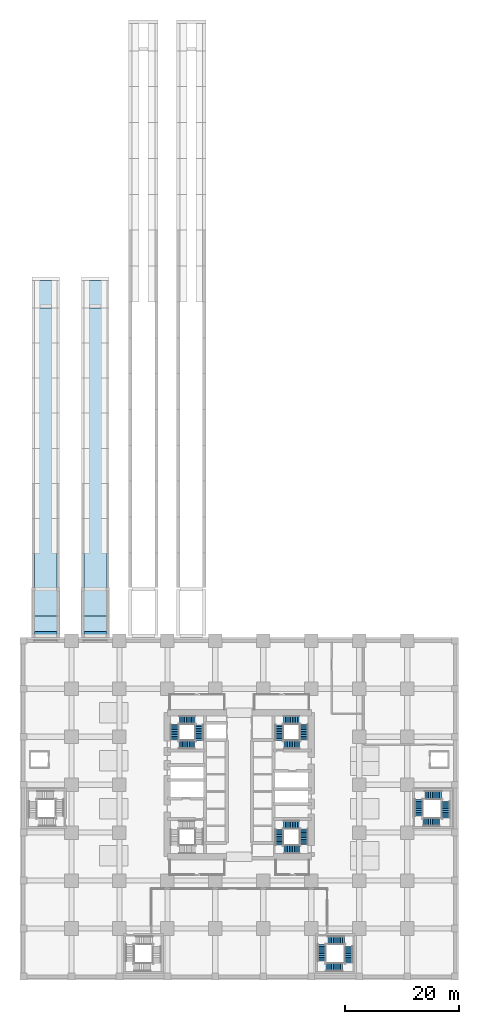
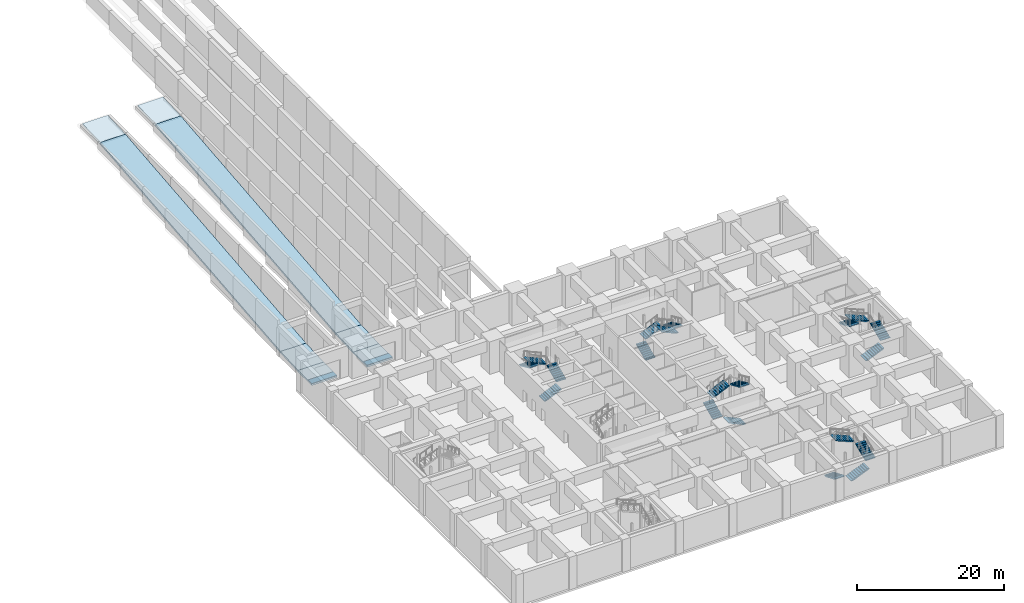
# One storey, part 12 of 20: 20 stair flights, 8 slabs, 2 ramps, 5 elements without a shape of their own.
"""IFC4 building model written with IfcOpenShell, lengths in metres."""

from ifc_helpers import new_model, si_unit, direction, frame, origin, place, context, subcontext, project, spatial, polyline, outline, extrude, material, layer, layer_set, type_object, element, aggregate, save


model = new_model("IFC4")

# Units and contexts
model_context = context("Model", 3, precision=1e-05, world=origin(), true_north=direction((0.0, 1.0)))
body_context = subcontext(model_context, "Body", "Model", "MODEL_VIEW")
ifc_project = project(units=[si_unit("LENGTHUNIT", "METRE"), si_unit("AREAUNIT", "SQUARE_METRE"), si_unit("VOLUMEUNIT", "CUBIC_METRE"), si_unit("PLANEANGLEUNIT", "RADIAN"), si_unit("MASSUNIT", "GRAM", prefix="KILO")], contexts=[model_context])

# Slab
ifc_material = material(Name="Concrete M40", Category="concrete")
ifc_layer_1 = layer(ifc_material, 0.300048828125)
ifc_layer_set_1 = layer_set([ifc_layer_1], Name="Concrete M40")
slab_type_1 = type_object("IfcSlabType", Name="RL1 300 concrete ramp apron", PredefinedType="LANDING", material=ifc_layer_set_1)
site_placement = place(None, origin())
building_placement = place(site_placement, origin())
storey_placement = place(building_placement, frame((0.0, 0.0, -5.39990234375)))
slab_1_placement = place(storey_placement, frame((1.89990234375, 59.39990234375, 0.0), z_axis=(0.0, 0.0, 1.0), x_axis=(1.0, 0.0, 0.0)))
slab_1 = element("IfcSlab", 1, at=slab_1_placement, type_object=slab_type_1, Name="Ramp 1 apron", PredefinedType="LANDING", context=body_context, shape_type="SweptSolid", body=[
    extrude(outline(polyline([(0.0, 0.0), (4.0, 0.0), (4.0, 3.700195312), (0.0, 3.700195312), (0.0, 0.0)])), origin(), (0.0, 0.0, -1.0), 0.300048828125),
])

slab_2_placement = place(storey_placement, frame((10.60009765625, 59.39990234375, 0.0), z_axis=(0.0, 0.0, 1.0), x_axis=(1.0, 0.0, 0.0)))
slab_2 = element("IfcSlab", 2, at=slab_2_placement, type_object=slab_type_1, Name="Ramp 2 apron", PredefinedType="LANDING", context=body_context, shape_type="SweptSolid", body=[
    extrude(outline(polyline([(0.0, 0.0), (4.0, 0.0), (4.0, 3.700195312), (0.0, 3.700195312), (0.0, 0.0)])), origin(), (0.0, 0.0, -1.0), 0.300048828125),
])

ifc_layer_2 = layer(ifc_material, 0.300048828125)
ifc_layer_set_2 = layer_set([ifc_layer_2], Name="Concrete M40")
slab_type_2 = type_object("IfcSlabType", Name="RP1 300 concrete vehicle ramp slab, 4000 wide", PredefinedType="FLOOR", material=ifc_layer_set_2)
slab_3_placement = place(storey_placement, frame((1.89990234375, 63.10009765625, 0.0), z_axis=(0.0, -0.049937616944, 0.998752338878), x_axis=(1.0, 0.0, 0.0)))
slab_3 = element("IfcSlab", 3, at=slab_3_placement, type_object=slab_type_2, Name="Ramp 1 flight 1", PredefinedType="FLOOR", context=body_context, shape_type="SweptSolid", body=[
    extrude(outline(polyline([(0.0, 0.0), (4.0, 0.0), (4.0, 4.805800698), (0.0, 4.805800698), (0.0, 0.0)])), origin(), (0.0, -0.049937616944, -0.998752338878), 0.30029296875),
])

slab_4_placement = place(storey_placement, frame((1.89990234375, 67.89990234375, 0.239990234375), z_axis=(0.0, -0.09950176355, 0.995037385755), x_axis=(1.0, 0.0, 0.0)))
slab_4 = element("IfcSlab", 4, at=slab_4_placement, type_object=slab_type_2, Name="Ramp 1 flight 2", PredefinedType="FLOOR", context=body_context, shape_type="SweptSolid", body=[
    extrude(outline(polyline([(0.0, 0.0), (4.0, 0.0), (4.0, 49.445574625), (0.0, 49.445574625), (0.0, 0.0)])), origin(), (0.0, -0.09950176355, -0.995037385755), 0.301513671875),
])

slab_5_placement = place(storey_placement, frame((1.89990234375, 117.10009765625, 5.159912109375), z_axis=(0.0, -0.049937616944, 0.998752338878), x_axis=(1.0, 0.0, 0.0)))
slab_5 = element("IfcSlab", 5, at=slab_5_placement, type_object=slab_type_2, Name="Ramp 1 flight 3", PredefinedType="FLOOR", context=body_context, shape_type="SweptSolid", body=[
    extrude(outline(polyline([(0.0, 0.0), (4.0, 0.0), (4.0, 4.805800698), (0.0, 4.805800698), (0.0, 0.0)])), origin(), (0.0, -0.049937616944, -0.998752338878), 0.30029296875),
])

slab_6_placement = place(storey_placement, frame((10.60009765625, 63.10009765625, 0.0), z_axis=(0.0, -0.049937616944, 0.998752338878), x_axis=(1.0, 0.0, 0.0)))
slab_6 = element("IfcSlab", 6, at=slab_6_placement, type_object=slab_type_2, Name="Ramp 2 flight 1", PredefinedType="FLOOR", context=body_context, shape_type="SweptSolid", body=[
    extrude(outline(polyline([(0.0, 0.0), (4.0, 0.0), (4.0, 4.805800698), (0.0, 4.805800698), (0.0, 0.0)])), origin(), (0.0, -0.049937616944, -0.998752338878), 0.30029296875),
])

slab_7_placement = place(storey_placement, frame((10.60009765625, 67.89990234375, 0.239990234375), z_axis=(0.0, -0.09950176355, 0.995037385755), x_axis=(1.0, 0.0, 0.0)))
slab_7 = element("IfcSlab", 7, at=slab_7_placement, type_object=slab_type_2, Name="Ramp 2 flight 2", PredefinedType="FLOOR", context=body_context, shape_type="SweptSolid", body=[
    extrude(outline(polyline([(0.0, 0.0), (4.0, 0.0), (4.0, 49.445574625), (0.0, 49.445574625), (0.0, 0.0)])), origin(), (0.0, -0.09950176355, -0.995037385755), 0.301513671875),
])

slab_8_placement = place(storey_placement, frame((10.60009765625, 117.10009765625, 5.159912109375), z_axis=(0.0, -0.049937616944, 0.998752338878), x_axis=(1.0, 0.0, 0.0)))
slab_8 = element("IfcSlab", 8, at=slab_8_placement, type_object=slab_type_2, Name="Ramp 2 flight 3", PredefinedType="FLOOR", context=body_context, shape_type="SweptSolid", body=[
    extrude(outline(polyline([(0.0, 0.0), (4.0, 0.0), (4.0, 4.805800698), (0.0, 4.805800698), (0.0, 0.0)])), origin(), (0.0, -0.049937616944, -0.998752338878), 0.30029296875),
])

# Site, building, storey
site = spatial("IfcSite", under=ifc_project, at=site_placement, CompositionType="ELEMENT")
building = spatial("IfcBuilding", under=site, at=building_placement, Name="Rekha Terrace Tower", CompositionType="ELEMENT")
storey = spatial("IfcBuildingStorey", under=building, at=storey_placement, Name="B-01", CompositionType="ELEMENT", Elevation=-5.39990234375)

# Stair, stair flights
stair_type_1 = type_object("IfcStairType", Name="ST40 stair, 40 risers of 135, going 300, 1500 wide flights, 4 flights", PredefinedType="QUARTER_TURN_STAIR", material=ifc_material)
stair_1_placement = place(storey_placement, origin())
stair_1 = element("IfcStair", 9, at=stair_1_placement, inside=storey, type_object=stair_type_1, Name="Stair ST2 B-01 to L00", PredefinedType="QUARTER_TURN_STAIR")
stair_flight_type_1 = type_object("IfcStairFlightType", Name="SF10 stair flight, 10 risers of 135, going 300, 1500 wide", PredefinedType="STRAIGHT", material=ifc_material)
stair_flight_1_placement = place(storey_placement, frame((44.824951171875, 41.375, 0.0), z_axis=(0.0, 0.0, 1.0), x_axis=(0.0, 1.0, 0.0)))
stair_flight_1 = element("IfcStairFlight", 10, at=stair_flight_1_placement, type_object=stair_flight_type_1, Name="ST2 flight 1", NumberOfRisers=10, NumberOfTreads=9, PredefinedType="STRAIGHT", RiserHeight=0.135, TreadLength=0.3, context=body_context, shape_type="SweptSolid", body=[
    extrude(outline(polyline([(0.0, 0.0), (0.0, 0.135009765625), (0.300048828125, 0.135009765625), (0.300048828125, 0.27001953125), (0.60009765625, 0.27001953125), (0.60009765625, 0.405029296875), (0.89990234375, 0.405029296875), (0.89990234375, 0.5400390625), (1.199951171875, 0.5400390625), (1.199951171875, 0.675048828125), (1.5, 0.675048828125), (1.5, 0.81005859375), (1.800048828125, 0.81005859375), (1.800048828125, 0.945068359375), (2.10009765625, 0.945068359375), (2.10009765625, 1.080078125), (2.39990234375, 1.080078125), (2.39990234375, 1.215087890625), (2.699951171875, 1.215087890625), (2.699951171875, 1.35009765625), (2.699951171875, 1.050537109375), (0.365234375, 0.0), (0.0, 0.0)])), frame((0.0, 0.75, 0.0), z_axis=(0.0, -1.0, 0.0), x_axis=(1.0, 0.0, 0.0)), (0.0, 0.0, 1.0), 1.5),
])
stair_flight_2_placement = place(storey_placement, frame((45.574951171875, 44.89990234375, 1.349853515625), z_axis=(0.0, 0.0, 1.0), x_axis=(1.0, 0.0, 0.0)))
stair_flight_2 = element("IfcStairFlight", 11, at=stair_flight_2_placement, type_object=stair_flight_type_1, Name="ST2 flight 2", NumberOfRisers=10, NumberOfTreads=9, PredefinedType="STRAIGHT", RiserHeight=0.135, TreadLength=0.3, context=body_context, shape_type="SweptSolid", body=[
    extrude(outline(polyline([(0.0, 0.0), (0.0, 0.135009765625), (0.300048828125, 0.135009765625), (0.300048828125, 0.27001953125), (0.60009765625, 0.27001953125), (0.60009765625, 0.405029296875), (0.89990234375, 0.405029296875), (0.89990234375, 0.5400390625), (1.199951171875, 0.5400390625), (1.199951171875, 0.675048828125), (1.5, 0.675048828125), (1.5, 0.81005859375), (1.800048828125, 0.81005859375), (1.800048828125, 0.945068359375), (2.10009765625, 0.945068359375), (2.10009765625, 1.080078125), (2.39990234375, 1.080078125), (2.39990234375, 1.215087890625), (2.699951171875, 1.215087890625), (2.699951171875, 1.35009765625), (2.699951171875, 1.050537109375), (0.365234375, 0.0), (0.0, 0.0)])), frame((0.0, 0.75, 0.0), z_axis=(0.0, -1.0, 0.0), x_axis=(1.0, 0.0, 0.0)), (0.0, 0.0, 1.0), 1.5),
])
stair_flight_3_placement = place(storey_placement, frame((49.10009765625, 44.14990234375, 2.699951171875), z_axis=(0.0, 0.0, 1.0), x_axis=(0.0, -1.0, 0.0)))
stair_flight_3 = element("IfcStairFlight", 12, at=stair_flight_3_placement, type_object=stair_flight_type_1, Name="ST2 flight 3", NumberOfRisers=10, NumberOfTreads=9, PredefinedType="STRAIGHT", RiserHeight=0.135, TreadLength=0.3, context=body_context, shape_type="SweptSolid", body=[
    extrude(outline(polyline([(0.0, 0.0), (0.0, 0.135009765625), (0.300048828125, 0.135009765625), (0.300048828125, 0.27001953125), (0.60009765625, 0.27001953125), (0.60009765625, 0.405029296875), (0.89990234375, 0.405029296875), (0.89990234375, 0.5400390625), (1.199951171875, 0.5400390625), (1.199951171875, 0.675048828125), (1.5, 0.675048828125), (1.5, 0.81005859375), (1.800048828125, 0.81005859375), (1.800048828125, 0.945068359375), (2.10009765625, 0.945068359375), (2.10009765625, 1.080078125), (2.39990234375, 1.080078125), (2.39990234375, 1.215087890625), (2.699951171875, 1.215087890625), (2.699951171875, 1.35009765625), (2.699951171875, 1.050537109375), (0.365234375, 0.0), (0.0, 0.0)])), frame((0.0, 0.75, 0.0), z_axis=(0.0, -1.0, 0.0), x_axis=(1.0, 0.0, 0.0)), (0.0, 0.0, 1.0), 1.5),
])
stair_flight_4_placement = place(storey_placement, frame((48.35009765625, 40.625, 4.0498046875), z_axis=(0.0, 0.0, 1.0), x_axis=(-1.0, 0.0, 0.0)))
stair_flight_4 = element("IfcStairFlight", 13, at=stair_flight_4_placement, type_object=stair_flight_type_1, Name="ST2 flight 4", NumberOfRisers=10, NumberOfTreads=9, PredefinedType="STRAIGHT", RiserHeight=0.135, TreadLength=0.3, context=body_context, shape_type="SweptSolid", body=[
    extrude(outline(polyline([(0.0, 0.0), (0.0, 0.135009765625), (0.300048828125, 0.135009765625), (0.300048828125, 0.27001953125), (0.60009765625, 0.27001953125), (0.60009765625, 0.405029296875), (0.89990234375, 0.405029296875), (0.89990234375, 0.5400390625), (1.199951171875, 0.5400390625), (1.199951171875, 0.675048828125), (1.5, 0.675048828125), (1.5, 0.81005859375), (1.800048828125, 0.81005859375), (1.800048828125, 0.945068359375), (2.10009765625, 0.945068359375), (2.10009765625, 1.080078125), (2.39990234375, 1.080078125), (2.39990234375, 1.215087890625), (2.699951171875, 1.215087890625), (2.699951171875, 1.35009765625), (2.699951171875, 1.050537109375), (0.365234375, 0.0), (0.0, 0.0)])), frame((0.0, 0.75, 0.0), z_axis=(0.0, -1.0, 0.0), x_axis=(1.0, 0.0, 0.0)), (0.0, 0.0, 1.0), 1.5),
])
aggregate(stair_1, [stair_flight_1, stair_flight_2, stair_flight_3, stair_flight_4])

stair_2_placement = place(storey_placement, origin())
stair_2 = element("IfcStair", 14, at=stair_2_placement, inside=storey, type_object=stair_type_1, Name="Stair ST3 B-01 to L00", PredefinedType="QUARTER_TURN_STAIR")
stair_flight_5_placement = place(storey_placement, frame((48.35009765625, 22.300048828125, 0.0), z_axis=(0.0, 0.0, 1.0), x_axis=(-1.0, 0.0, 0.0)))
stair_flight_5 = element("IfcStairFlight", 15, at=stair_flight_5_placement, type_object=stair_flight_type_1, Name="ST3 flight 1", NumberOfRisers=10, NumberOfTreads=9, PredefinedType="STRAIGHT", RiserHeight=0.135, TreadLength=0.3, context=body_context, shape_type="SweptSolid", body=[
    extrude(outline(polyline([(0.0, 0.0), (0.0, 0.135009765625), (0.300048828125, 0.135009765625), (0.300048828125, 0.27001953125), (0.60009765625, 0.27001953125), (0.60009765625, 0.405029296875), (0.89990234375, 0.405029296875), (0.89990234375, 0.5400390625), (1.199951171875, 0.5400390625), (1.199951171875, 0.675048828125), (1.5, 0.675048828125), (1.5, 0.81005859375), (1.800048828125, 0.81005859375), (1.800048828125, 0.945068359375), (2.10009765625, 0.945068359375), (2.10009765625, 1.080078125), (2.39990234375, 1.080078125), (2.39990234375, 1.215087890625), (2.699951171875, 1.215087890625), (2.699951171875, 1.35009765625), (2.699951171875, 1.050537109375), (0.365234375, 0.0), (0.0, 0.0)])), frame((0.0, 0.75, 0.0), z_axis=(0.0, -1.0, 0.0), x_axis=(1.0, 0.0, 0.0)), (0.0, 0.0, 1.0), 1.5),
])
stair_flight_6_placement = place(storey_placement, frame((44.824951171875, 23.050048828125, 1.349853515625), z_axis=(0.0, 0.0, 1.0), x_axis=(0.0, 1.0, 0.0)))
stair_flight_6 = element("IfcStairFlight", 16, at=stair_flight_6_placement, type_object=stair_flight_type_1, Name="ST3 flight 2", NumberOfRisers=10, NumberOfTreads=9, PredefinedType="STRAIGHT", RiserHeight=0.135, TreadLength=0.3, context=body_context, shape_type="SweptSolid", body=[
    extrude(outline(polyline([(0.0, 0.0), (0.0, 0.135009765625), (0.300048828125, 0.135009765625), (0.300048828125, 0.27001953125), (0.60009765625, 0.27001953125), (0.60009765625, 0.405029296875), (0.89990234375, 0.405029296875), (0.89990234375, 0.5400390625), (1.199951171875, 0.5400390625), (1.199951171875, 0.675048828125), (1.5, 0.675048828125), (1.5, 0.81005859375), (1.800048828125, 0.81005859375), (1.800048828125, 0.945068359375), (2.10009765625, 0.945068359375), (2.10009765625, 1.080078125), (2.39990234375, 1.080078125), (2.39990234375, 1.215087890625), (2.699951171875, 1.215087890625), (2.699951171875, 1.35009765625), (2.699951171875, 1.050537109375), (0.365234375, 0.0), (0.0, 0.0)])), frame((0.0, 0.75, 0.0), z_axis=(0.0, -1.0, 0.0), x_axis=(1.0, 0.0, 0.0)), (0.0, 0.0, 1.0), 1.5),
])
stair_flight_7_placement = place(storey_placement, frame((45.574951171875, 26.574951171875, 2.699951171875), z_axis=(0.0, 0.0, 1.0), x_axis=(1.0, 0.0, 0.0)))
stair_flight_7 = element("IfcStairFlight", 17, at=stair_flight_7_placement, type_object=stair_flight_type_1, Name="ST3 flight 3", NumberOfRisers=10, NumberOfTreads=9, PredefinedType="STRAIGHT", RiserHeight=0.135, TreadLength=0.3, context=body_context, shape_type="SweptSolid", body=[
    extrude(outline(polyline([(0.0, 0.0), (0.0, 0.135009765625), (0.300048828125, 0.135009765625), (0.300048828125, 0.27001953125), (0.60009765625, 0.27001953125), (0.60009765625, 0.405029296875), (0.89990234375, 0.405029296875), (0.89990234375, 0.5400390625), (1.199951171875, 0.5400390625), (1.199951171875, 0.675048828125), (1.5, 0.675048828125), (1.5, 0.81005859375), (1.800048828125, 0.81005859375), (1.800048828125, 0.945068359375), (2.10009765625, 0.945068359375), (2.10009765625, 1.080078125), (2.39990234375, 1.080078125), (2.39990234375, 1.215087890625), (2.699951171875, 1.215087890625), (2.699951171875, 1.35009765625), (2.699951171875, 1.050537109375), (0.365234375, 0.0), (0.0, 0.0)])), frame((0.0, 0.75, 0.0), z_axis=(0.0, -1.0, 0.0), x_axis=(1.0, 0.0, 0.0)), (0.0, 0.0, 1.0), 1.5),
])
stair_flight_8_placement = place(storey_placement, frame((49.10009765625, 25.824951171875, 4.0498046875), z_axis=(0.0, 0.0, 1.0), x_axis=(0.0, -1.0, 0.0)))
stair_flight_8 = element("IfcStairFlight", 18, at=stair_flight_8_placement, type_object=stair_flight_type_1, Name="ST3 flight 4", NumberOfRisers=10, NumberOfTreads=9, PredefinedType="STRAIGHT", RiserHeight=0.135, TreadLength=0.3, context=body_context, shape_type="SweptSolid", body=[
    extrude(outline(polyline([(0.0, 0.0), (0.0, 0.135009765625), (0.300048828125, 0.135009765625), (0.300048828125, 0.27001953125), (0.60009765625, 0.27001953125), (0.60009765625, 0.405029296875), (0.89990234375, 0.405029296875), (0.89990234375, 0.5400390625), (1.199951171875, 0.5400390625), (1.199951171875, 0.675048828125), (1.5, 0.675048828125), (1.5, 0.81005859375), (1.800048828125, 0.81005859375), (1.800048828125, 0.945068359375), (2.10009765625, 0.945068359375), (2.10009765625, 1.080078125), (2.39990234375, 1.080078125), (2.39990234375, 1.215087890625), (2.699951171875, 1.215087890625), (2.699951171875, 1.35009765625), (2.699951171875, 1.050537109375), (0.365234375, 0.0), (0.0, 0.0)])), frame((0.0, 0.75, 0.0), z_axis=(0.0, -1.0, 0.0), x_axis=(1.0, 0.0, 0.0)), (0.0, 0.0, 1.0), 1.5),
])
aggregate(stair_2, [stair_flight_5, stair_flight_6, stair_flight_7, stair_flight_8])

stair_3_placement = place(storey_placement, origin())
stair_3 = element("IfcStair", 19, at=stair_3_placement, inside=storey, type_object=stair_type_1, Name="Stair ST4 B-01 to L00", PredefinedType="QUARTER_TURN_STAIR")
stair_flight_9_placement = place(storey_placement, frame((27.25, 40.625, 0.0), z_axis=(0.0, 0.0, 1.0), x_axis=(1.0, 0.0, 0.0)))
stair_flight_9 = element("IfcStairFlight", 20, at=stair_flight_9_placement, type_object=stair_flight_type_1, Name="ST4 flight 1", NumberOfRisers=10, NumberOfTreads=9, PredefinedType="STRAIGHT", RiserHeight=0.135, TreadLength=0.3, context=body_context, shape_type="SweptSolid", body=[
    extrude(outline(polyline([(0.0, 0.0), (0.0, 0.135009765625), (0.300048828125, 0.135009765625), (0.300048828125, 0.27001953125), (0.60009765625, 0.27001953125), (0.60009765625, 0.405029296875), (0.89990234375, 0.405029296875), (0.89990234375, 0.5400390625), (1.199951171875, 0.5400390625), (1.199951171875, 0.675048828125), (1.5, 0.675048828125), (1.5, 0.81005859375), (1.800048828125, 0.81005859375), (1.800048828125, 0.945068359375), (2.10009765625, 0.945068359375), (2.10009765625, 1.080078125), (2.39990234375, 1.080078125), (2.39990234375, 1.215087890625), (2.699951171875, 1.215087890625), (2.699951171875, 1.35009765625), (2.699951171875, 1.050537109375), (0.365234375, 0.0), (0.0, 0.0)])), frame((0.0, 0.75, 0.0), z_axis=(0.0, -1.0, 0.0), x_axis=(1.0, 0.0, 0.0)), (0.0, 0.0, 1.0), 1.5),
])
stair_flight_10_placement = place(storey_placement, frame((30.77490234375, 41.375, 1.349853515625), z_axis=(0.0, 0.0, 1.0), x_axis=(0.0, 1.0, 0.0)))
stair_flight_10 = element("IfcStairFlight", 21, at=stair_flight_10_placement, type_object=stair_flight_type_1, Name="ST4 flight 2", NumberOfRisers=10, NumberOfTreads=9, PredefinedType="STRAIGHT", RiserHeight=0.135, TreadLength=0.3, context=body_context, shape_type="SweptSolid", body=[
    extrude(outline(polyline([(0.0, 0.0), (0.0, 0.135009765625), (0.300048828125, 0.135009765625), (0.300048828125, 0.27001953125), (0.60009765625, 0.27001953125), (0.60009765625, 0.405029296875), (0.89990234375, 0.405029296875), (0.89990234375, 0.5400390625), (1.199951171875, 0.5400390625), (1.199951171875, 0.675048828125), (1.5, 0.675048828125), (1.5, 0.81005859375), (1.800048828125, 0.81005859375), (1.800048828125, 0.945068359375), (2.10009765625, 0.945068359375), (2.10009765625, 1.080078125), (2.39990234375, 1.080078125), (2.39990234375, 1.215087890625), (2.699951171875, 1.215087890625), (2.699951171875, 1.35009765625), (2.699951171875, 1.050537109375), (0.365234375, 0.0), (0.0, 0.0)])), frame((0.0, 0.75, 0.0), z_axis=(0.0, -1.0, 0.0), x_axis=(1.0, 0.0, 0.0)), (0.0, 0.0, 1.0), 1.5),
])
stair_flight_11_placement = place(storey_placement, frame((30.02490234375, 44.89990234375, 2.699951171875), z_axis=(0.0, 0.0, 1.0), x_axis=(-1.0, 0.0, 0.0)))
stair_flight_11 = element("IfcStairFlight", 22, at=stair_flight_11_placement, type_object=stair_flight_type_1, Name="ST4 flight 3", NumberOfRisers=10, NumberOfTreads=9, PredefinedType="STRAIGHT", RiserHeight=0.135, TreadLength=0.3, context=body_context, shape_type="SweptSolid", body=[
    extrude(outline(polyline([(0.0, 0.0), (0.0, 0.135009765625), (0.300048828125, 0.135009765625), (0.300048828125, 0.27001953125), (0.60009765625, 0.27001953125), (0.60009765625, 0.405029296875), (0.89990234375, 0.405029296875), (0.89990234375, 0.5400390625), (1.199951171875, 0.5400390625), (1.199951171875, 0.675048828125), (1.5, 0.675048828125), (1.5, 0.81005859375), (1.800048828125, 0.81005859375), (1.800048828125, 0.945068359375), (2.10009765625, 0.945068359375), (2.10009765625, 1.080078125), (2.39990234375, 1.080078125), (2.39990234375, 1.215087890625), (2.699951171875, 1.215087890625), (2.699951171875, 1.35009765625), (2.699951171875, 1.050537109375), (0.365234375, 0.0), (0.0, 0.0)])), frame((0.0, 0.75, 0.0), z_axis=(0.0, -1.0, 0.0), x_axis=(1.0, 0.0, 0.0)), (0.0, 0.0, 1.0), 1.5),
])
stair_flight_12_placement = place(storey_placement, frame((26.5, 44.14990234375, 4.0498046875), z_axis=(0.0, 0.0, 1.0), x_axis=(0.0, -1.0, 0.0)))
stair_flight_12 = element("IfcStairFlight", 23, at=stair_flight_12_placement, type_object=stair_flight_type_1, Name="ST4 flight 4", NumberOfRisers=10, NumberOfTreads=9, PredefinedType="STRAIGHT", RiserHeight=0.135, TreadLength=0.3, context=body_context, shape_type="SweptSolid", body=[
    extrude(outline(polyline([(0.0, 0.0), (0.0, 0.135009765625), (0.300048828125, 0.135009765625), (0.300048828125, 0.27001953125), (0.60009765625, 0.27001953125), (0.60009765625, 0.405029296875), (0.89990234375, 0.405029296875), (0.89990234375, 0.5400390625), (1.199951171875, 0.5400390625), (1.199951171875, 0.675048828125), (1.5, 0.675048828125), (1.5, 0.81005859375), (1.800048828125, 0.81005859375), (1.800048828125, 0.945068359375), (2.10009765625, 0.945068359375), (2.10009765625, 1.080078125), (2.39990234375, 1.080078125), (2.39990234375, 1.215087890625), (2.699951171875, 1.215087890625), (2.699951171875, 1.35009765625), (2.699951171875, 1.050537109375), (0.365234375, 0.0), (0.0, 0.0)])), frame((0.0, 0.75, 0.0), z_axis=(0.0, -1.0, 0.0), x_axis=(1.0, 0.0, 0.0)), (0.0, 0.0, 1.0), 1.5),
])
aggregate(stair_3, [stair_flight_9, stair_flight_10, stair_flight_11, stair_flight_12])

stair_type_2 = type_object("IfcStairType", Name="ST40 stair, 40 risers of 135, going 320, 1500 wide flights, 4 flights", PredefinedType="QUARTER_TURN_STAIR", material=ifc_material)
stair_4_placement = place(storey_placement, origin())
stair_4 = element("IfcStair", 24, at=stair_4_placement, inside=storey, type_object=stair_type_2, Name="Stair SP2 B-01 to L00", PredefinedType="QUARTER_TURN_STAIR")
stair_flight_type_2 = type_object("IfcStairFlightType", Name="SF10 stair flight, 10 risers of 135, going 320, 1500 wide", PredefinedType="STRAIGHT", material=ifc_material)
stair_flight_13_placement = place(storey_placement, frame((70.0, 27.050048828125, 0.0), z_axis=(0.0, 0.0, 1.0), x_axis=(1.0, 0.0, 0.0)))
stair_flight_13 = element("IfcStairFlight", 25, at=stair_flight_13_placement, type_object=stair_flight_type_2, Name="SP2 flight 1", NumberOfRisers=10, NumberOfTreads=9, PredefinedType="STRAIGHT", RiserHeight=0.135, TreadLength=0.32, context=body_context, shape_type="SweptSolid", body=[
    extrude(outline(polyline([(0.0, 0.0), (0.0, 0.135009765625), (0.320068359375, 0.135009765625), (0.320068359375, 0.27001953125), (0.639892578125, 0.27001953125), (0.639892578125, 0.405029296875), (0.9599609375, 0.405029296875), (0.9599609375, 0.5400390625), (1.280029296875, 0.5400390625), (1.280029296875, 0.675048828125), (1.60009765625, 0.675048828125), (1.60009765625, 0.81005859375), (1.919921875, 0.81005859375), (1.919921875, 0.945068359375), (2.239990234375, 0.945068359375), (2.239990234375, 1.080078125), (2.56005859375, 1.080078125), (2.56005859375, 1.215087890625), (2.8798828125, 1.215087890625), (2.8798828125, 1.35009765625), (2.8798828125, 1.05224609375), (0.3857421875, 0.0), (0.0, 0.0)])), frame((0.0, 0.75, 0.0), z_axis=(0.0, -1.0, 0.0), x_axis=(1.0, 0.0, 0.0)), (0.0, 0.0, 1.0), 1.5),
])
stair_flight_14_placement = place(storey_placement, frame((73.949951171875, 27.800048828125, 1.349853515625), z_axis=(0.0, 0.0, 1.0), x_axis=(0.0, 1.0, 0.0)))
stair_flight_14 = element("IfcStairFlight", 26, at=stair_flight_14_placement, type_object=stair_flight_type_2, Name="SP2 flight 2", NumberOfRisers=10, NumberOfTreads=9, PredefinedType="STRAIGHT", RiserHeight=0.135, TreadLength=0.32, context=body_context, shape_type="SweptSolid", body=[
    extrude(outline(polyline([(0.0, 0.0), (0.0, 0.135009765625), (0.320068359375, 0.135009765625), (0.320068359375, 0.27001953125), (0.639892578125, 0.27001953125), (0.639892578125, 0.405029296875), (0.9599609375, 0.405029296875), (0.9599609375, 0.5400390625), (1.280029296875, 0.5400390625), (1.280029296875, 0.675048828125), (1.60009765625, 0.675048828125), (1.60009765625, 0.81005859375), (1.919921875, 0.81005859375), (1.919921875, 0.945068359375), (2.239990234375, 0.945068359375), (2.239990234375, 1.080078125), (2.56005859375, 1.080078125), (2.56005859375, 1.215087890625), (2.8798828125, 1.215087890625), (2.8798828125, 1.35009765625), (2.8798828125, 1.05224609375), (0.3857421875, 0.0), (0.0, 0.0)])), frame((0.0, 0.75, 0.0), z_axis=(0.0, -1.0, 0.0), x_axis=(1.0, 0.0, 0.0)), (0.0, 0.0, 1.0), 1.5),
])
stair_flight_15_placement = place(storey_placement, frame((73.199951171875, 31.75, 2.699951171875), z_axis=(0.0, 0.0, 1.0), x_axis=(-1.0, 0.0, 0.0)))
stair_flight_15 = element("IfcStairFlight", 27, at=stair_flight_15_placement, type_object=stair_flight_type_2, Name="SP2 flight 3", NumberOfRisers=10, NumberOfTreads=9, PredefinedType="STRAIGHT", RiserHeight=0.135, TreadLength=0.32, context=body_context, shape_type="SweptSolid", body=[
    extrude(outline(polyline([(0.0, 0.0), (0.0, 0.135009765625), (0.320068359375, 0.135009765625), (0.320068359375, 0.27001953125), (0.639892578125, 0.27001953125), (0.639892578125, 0.405029296875), (0.9599609375, 0.405029296875), (0.9599609375, 0.5400390625), (1.280029296875, 0.5400390625), (1.280029296875, 0.675048828125), (1.60009765625, 0.675048828125), (1.60009765625, 0.81005859375), (1.919921875, 0.81005859375), (1.919921875, 0.945068359375), (2.239990234375, 0.945068359375), (2.239990234375, 1.080078125), (2.56005859375, 1.080078125), (2.56005859375, 1.215087890625), (2.8798828125, 1.215087890625), (2.8798828125, 1.35009765625), (2.8798828125, 1.05224609375), (0.3857421875, 0.0), (0.0, 0.0)])), frame((0.0, 0.75, 0.0), z_axis=(0.0, -1.0, 0.0), x_axis=(1.0, 0.0, 0.0)), (0.0, 0.0, 1.0), 1.5),
])
stair_flight_16_placement = place(storey_placement, frame((69.25, 31.0, 4.0498046875), z_axis=(0.0, 0.0, 1.0), x_axis=(0.0, -1.0, 0.0)))
stair_flight_16 = element("IfcStairFlight", 28, at=stair_flight_16_placement, type_object=stair_flight_type_2, Name="SP2 flight 4", NumberOfRisers=10, NumberOfTreads=9, PredefinedType="STRAIGHT", RiserHeight=0.135, TreadLength=0.32, context=body_context, shape_type="SweptSolid", body=[
    extrude(outline(polyline([(0.0, 0.0), (0.0, 0.135009765625), (0.320068359375, 0.135009765625), (0.320068359375, 0.27001953125), (0.639892578125, 0.27001953125), (0.639892578125, 0.405029296875), (0.9599609375, 0.405029296875), (0.9599609375, 0.5400390625), (1.280029296875, 0.5400390625), (1.280029296875, 0.675048828125), (1.60009765625, 0.675048828125), (1.60009765625, 0.81005859375), (1.919921875, 0.81005859375), (1.919921875, 0.945068359375), (2.239990234375, 0.945068359375), (2.239990234375, 1.080078125), (2.56005859375, 1.080078125), (2.56005859375, 1.215087890625), (2.8798828125, 1.215087890625), (2.8798828125, 1.35009765625), (2.8798828125, 1.05224609375), (0.3857421875, 0.0), (0.0, 0.0)])), frame((0.0, 0.75, 0.0), z_axis=(0.0, -1.0, 0.0), x_axis=(1.0, 0.0, 0.0)), (0.0, 0.0, 1.0), 1.5),
])
aggregate(stair_4, [stair_flight_13, stair_flight_14, stair_flight_15, stair_flight_16])

stair_5_placement = place(storey_placement, origin())
stair_5 = element("IfcStair", 29, at=stair_5_placement, inside=storey, type_object=stair_type_2, Name="Stair SP4 B-01 to L00", PredefinedType="QUARTER_TURN_STAIR")
stair_flight_17_placement = place(storey_placement, frame((52.25, 5.60009765625, 0.0), z_axis=(0.0, 0.0, 1.0), x_axis=(0.0, -1.0, 0.0)))
stair_flight_17 = element("IfcStairFlight", 30, at=stair_flight_17_placement, type_object=stair_flight_type_2, Name="SP4 flight 1", NumberOfRisers=10, NumberOfTreads=9, PredefinedType="STRAIGHT", RiserHeight=0.135, TreadLength=0.32, context=body_context, shape_type="SweptSolid", body=[
    extrude(outline(polyline([(0.0, 0.0), (0.0, 0.135009765625), (0.320068359375, 0.135009765625), (0.320068359375, 0.27001953125), (0.639892578125, 0.27001953125), (0.639892578125, 0.405029296875), (0.9599609375, 0.405029296875), (0.9599609375, 0.5400390625), (1.280029296875, 0.5400390625), (1.280029296875, 0.675048828125), (1.60009765625, 0.675048828125), (1.60009765625, 0.81005859375), (1.919921875, 0.81005859375), (1.919921875, 0.945068359375), (2.239990234375, 0.945068359375), (2.239990234375, 1.080078125), (2.56005859375, 1.080078125), (2.56005859375, 1.215087890625), (2.8798828125, 1.215087890625), (2.8798828125, 1.35009765625), (2.8798828125, 1.05224609375), (0.3857421875, 0.0), (0.0, 0.0)])), frame((0.0, 0.75, 0.0), z_axis=(0.0, -1.0, 0.0), x_axis=(1.0, 0.0, 0.0)), (0.0, 0.0, 1.0), 1.5),
])
stair_flight_18_placement = place(storey_placement, frame((53.0, 1.64990234375, 1.349853515625), z_axis=(0.0, 0.0, 1.0), x_axis=(1.0, 0.0, 0.0)))
stair_flight_18 = element("IfcStairFlight", 31, at=stair_flight_18_placement, type_object=stair_flight_type_2, Name="SP4 flight 2", NumberOfRisers=10, NumberOfTreads=9, PredefinedType="STRAIGHT", RiserHeight=0.135, TreadLength=0.32, context=body_context, shape_type="SweptSolid", body=[
    extrude(outline(polyline([(0.0, 0.0), (0.0, 0.135009765625), (0.320068359375, 0.135009765625), (0.320068359375, 0.27001953125), (0.639892578125, 0.27001953125), (0.639892578125, 0.405029296875), (0.9599609375, 0.405029296875), (0.9599609375, 0.5400390625), (1.280029296875, 0.5400390625), (1.280029296875, 0.675048828125), (1.60009765625, 0.675048828125), (1.60009765625, 0.81005859375), (1.919921875, 0.81005859375), (1.919921875, 0.945068359375), (2.239990234375, 0.945068359375), (2.239990234375, 1.080078125), (2.56005859375, 1.080078125), (2.56005859375, 1.215087890625), (2.8798828125, 1.215087890625), (2.8798828125, 1.35009765625), (2.8798828125, 1.05224609375), (0.3857421875, 0.0), (0.0, 0.0)])), frame((0.0, 0.75, 0.0), z_axis=(0.0, -1.0, 0.0), x_axis=(1.0, 0.0, 0.0)), (0.0, 0.0, 1.0), 1.5),
])
stair_flight_19_placement = place(storey_placement, frame((56.949951171875, 2.39990234375, 2.699951171875), z_axis=(0.0, 0.0, 1.0), x_axis=(0.0, 1.0, 0.0)))
stair_flight_19 = element("IfcStairFlight", 32, at=stair_flight_19_placement, type_object=stair_flight_type_2, Name="SP4 flight 3", NumberOfRisers=10, NumberOfTreads=9, PredefinedType="STRAIGHT", RiserHeight=0.135, TreadLength=0.32, context=body_context, shape_type="SweptSolid", body=[
    extrude(outline(polyline([(0.0, 0.0), (0.0, 0.135009765625), (0.320068359375, 0.135009765625), (0.320068359375, 0.27001953125), (0.639892578125, 0.27001953125), (0.639892578125, 0.405029296875), (0.9599609375, 0.405029296875), (0.9599609375, 0.5400390625), (1.280029296875, 0.5400390625), (1.280029296875, 0.675048828125), (1.60009765625, 0.675048828125), (1.60009765625, 0.81005859375), (1.919921875, 0.81005859375), (1.919921875, 0.945068359375), (2.239990234375, 0.945068359375), (2.239990234375, 1.080078125), (2.56005859375, 1.080078125), (2.56005859375, 1.215087890625), (2.8798828125, 1.215087890625), (2.8798828125, 1.35009765625), (2.8798828125, 1.05224609375), (0.3857421875, 0.0), (0.0, 0.0)])), frame((0.0, 0.75, 0.0), z_axis=(0.0, -1.0, 0.0), x_axis=(1.0, 0.0, 0.0)), (0.0, 0.0, 1.0), 1.5),
])
stair_flight_20_placement = place(storey_placement, frame((56.199951171875, 6.35009765625, 4.0498046875), z_axis=(0.0, 0.0, 1.0), x_axis=(-1.0, 0.0, 0.0)))
stair_flight_20 = element("IfcStairFlight", 33, at=stair_flight_20_placement, type_object=stair_flight_type_2, Name="SP4 flight 4", NumberOfRisers=10, NumberOfTreads=9, PredefinedType="STRAIGHT", RiserHeight=0.135, TreadLength=0.32, context=body_context, shape_type="SweptSolid", body=[
    extrude(outline(polyline([(0.0, 0.0), (0.0, 0.135009765625), (0.320068359375, 0.135009765625), (0.320068359375, 0.27001953125), (0.639892578125, 0.27001953125), (0.639892578125, 0.405029296875), (0.9599609375, 0.405029296875), (0.9599609375, 0.5400390625), (1.280029296875, 0.5400390625), (1.280029296875, 0.675048828125), (1.60009765625, 0.675048828125), (1.60009765625, 0.81005859375), (1.919921875, 0.81005859375), (1.919921875, 0.945068359375), (2.239990234375, 0.945068359375), (2.239990234375, 1.080078125), (2.56005859375, 1.080078125), (2.56005859375, 1.215087890625), (2.8798828125, 1.215087890625), (2.8798828125, 1.35009765625), (2.8798828125, 1.05224609375), (0.3857421875, 0.0), (0.0, 0.0)])), frame((0.0, 0.75, 0.0), z_axis=(0.0, -1.0, 0.0), x_axis=(1.0, 0.0, 0.0)), (0.0, 0.0, 1.0), 1.5),
])
aggregate(stair_5, [stair_flight_17, stair_flight_18, stair_flight_19, stair_flight_20])

# Ramp
ramp_type = type_object("IfcRampType", Name="RA1 one-way vehicle ramp, 4000 wide", PredefinedType="STRAIGHT_RUN_RAMP", material=ifc_material)
ramp_1_placement = place(storey_placement, origin())
ramp_1 = element("IfcRamp", 34, at=ramp_1_placement, inside=storey, type_object=ramp_type, Name="Vehicle entrance ramp 1 to B-01", PredefinedType="STRAIGHT_RUN_RAMP", context=body_context, shape_type="SweptSolid", body=[
    extrude(outline(polyline([(1.89990234375, 59.39990234375), (5.89990234375, 59.39990234375), (5.89990234375, 60.39990234375), (1.89990234375, 60.39990234375), (1.89990234375, 59.39990234375)])), origin(), (0.0, 0.0, 1.0), 0.0498046875),
])

aggregate(ramp_1, [slab_1, slab_3, slab_4, slab_5])

ramp_2_placement = place(storey_placement, origin())
ramp_2 = element("IfcRamp", 35, at=ramp_2_placement, inside=storey, type_object=ramp_type, Name="Vehicle exit ramp 2 to B-01", PredefinedType="STRAIGHT_RUN_RAMP", context=body_context, shape_type="SweptSolid", body=[
    extrude(outline(polyline([(10.60009765625, 59.39990234375), (14.60009765625, 59.39990234375), (14.60009765625, 60.39990234375), (10.60009765625, 60.39990234375), (10.60009765625, 59.39990234375)])), origin(), (0.0, 0.0, 1.0), 0.0498046875),
])

aggregate(ramp_2, [slab_2, slab_6, slab_7, slab_8])

save(model, "model.ifc")
